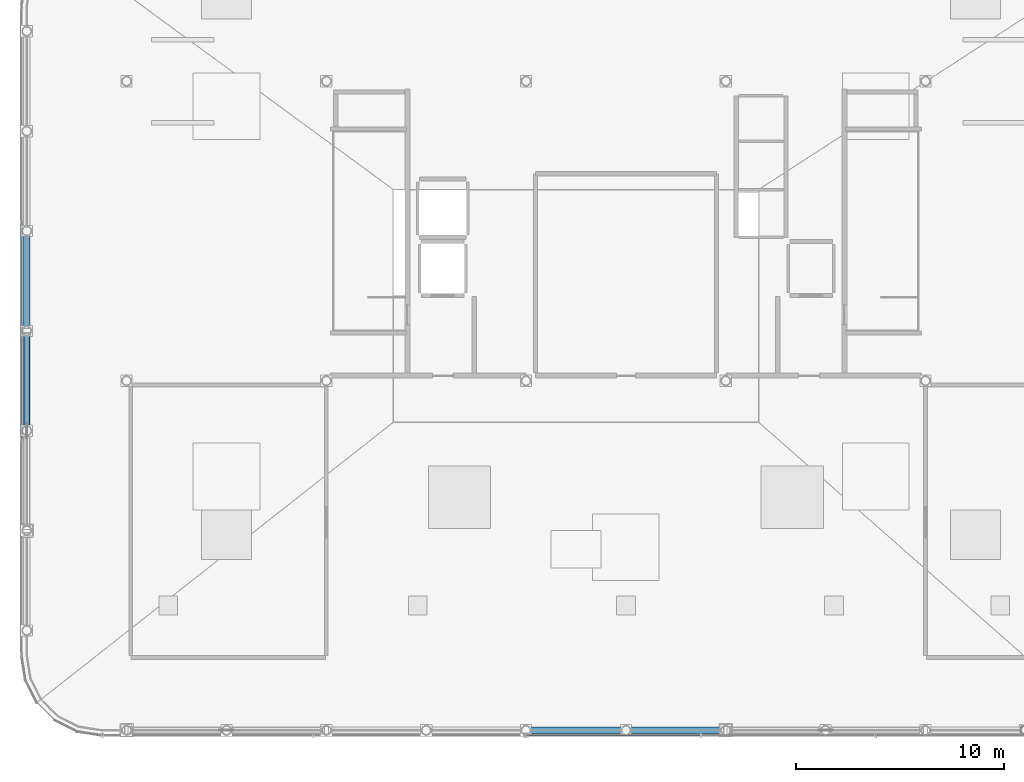
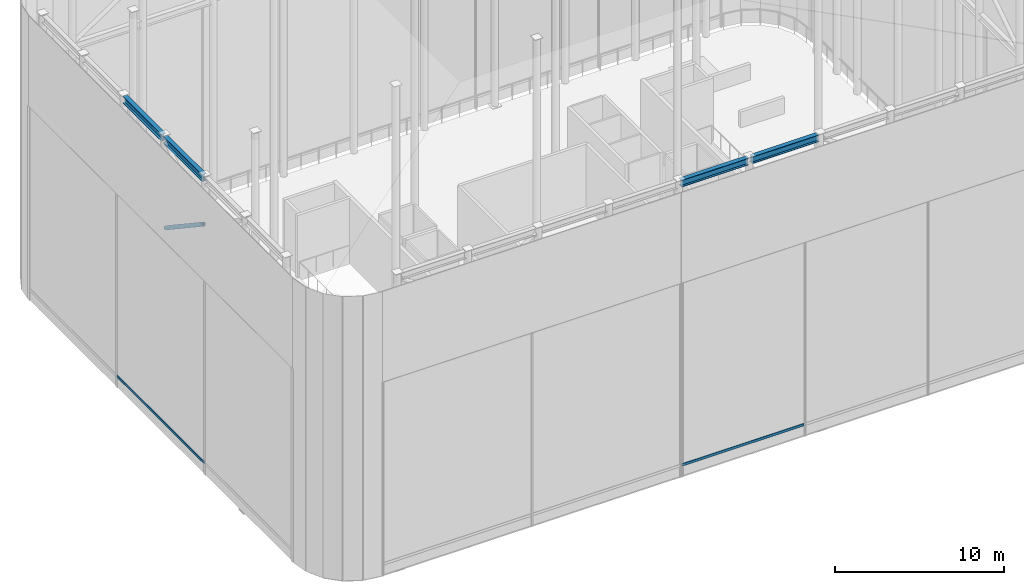
# One storey, part 11 of 42: 4 beams, 3 members, 2 elements without a shape of their own.
"""IFC4 building model written with IfcOpenShell, lengths in metres."""

from ifc_helpers import new_model, si_unit, direction, frame, origin, origin_2d, place, context, subcontext, project, spatial, hollow_rectangle, hollow_circle, i_section, extrude, material, layer, layer_set, material_profile, profile_set, type_object, element, aggregate, save


model = new_model("IFC4")

# Units and contexts
model_context = context("Model", 3, precision=1e-05, world=origin(), true_north=direction((0.0, 1.0)))
body_context = subcontext(model_context, "Body", "Model", "MODEL_VIEW")
ifc_project = project(units=[si_unit("LENGTHUNIT", "METRE"), si_unit("AREAUNIT", "SQUARE_METRE"), si_unit("VOLUMEUNIT", "CUBIC_METRE"), si_unit("PLANEANGLEUNIT", "RADIAN"), si_unit("MASSUNIT", "GRAM", prefix="KILO")], contexts=[model_context])

# Site, building, storey
site_placement = place(None, origin())
site = spatial("IfcSite", under=ifc_project, at=site_placement, CompositionType="ELEMENT")
building_placement = place(site_placement, origin())
building = spatial("IfcBuilding", under=site, at=building_placement, Name="Kallvorn Hotel Tower", CompositionType="ELEMENT")
storey_placement = place(building_placement, frame((0.0, 0.0, 306.0)))
storey = spatial("IfcBuildingStorey", under=building, at=storey_placement, Name="ROOF", CompositionType="ELEMENT", Elevation=306.0)

# Beams
ifc_material_1 = material(Name="Structural steel S355JR", Category="steel")
ifc_material_profile_1 = material_profile(ifc_material_1, i_section(OverallWidth=0.300048828125, OverallDepth=0.5, WebThickness=0.014404296875, FlangeThickness=0.028076171875, at=origin_2d()), Name="HE 500 B")
ifc_profile_set_1 = profile_set([ifc_material_profile_1], Name="Structural steel S355JR")
beam_type = type_object("IfcBeamType", Name="BM_HE500B", PredefinedType="SPANDREL", material=ifc_profile_set_1)
for number, where, z_axis, x_axis, name in (
    (1, (-4.699951171875, -24.0, 21.030029296875), (1.0, 0.0, 0.0), (0.0, 1.0, 0.0), "CROWN FRAME Top Ring Beam 05"),
    (2, (0.10009765625, -24.0, 21.030029296875), (1.0, 0.0, 0.0), (0.0, 1.0, 0.0), "CROWN FRAME Top Ring Beam 06"),
):
    element("IfcBeam", number, at=place(storey_placement, frame(where, z_axis=z_axis, x_axis=x_axis)), inside=storey, type_object=beam_type, Name=name, PredefinedType="SPANDREL", context=body_context, shape_type="SweptSolid", body=[
        extrude(i_section(OverallWidth=0.300048828125, OverallDepth=0.5, WebThickness=0.014404296875, FlangeThickness=0.028076171875, at=origin_2d()), origin(), (0.0, 0.0, 1.0), 4.599853515625),
    ])
beam_1_placement = place(storey_placement, frame((-28.800048828125, -9.5, 21.030029296875), z_axis=(0.0, 1.0, 0.0), x_axis=(-1.0, 0.0, 0.0)))
element("IfcBeam", 3, at=beam_1_placement, inside=storey, type_object=beam_type, Name="CROWN FRAME Top Ring Beam 21", PredefinedType="SPANDREL", context=body_context, shape_type="SweptSolid", body=[
    extrude(i_section(OverallWidth=0.300048828125, OverallDepth=0.5, WebThickness=0.014404296875, FlangeThickness=0.028076171875, at=origin_2d()), origin(), (0.0, 0.0, 1.0), 4.60009765625),
])
beam_2_placement = place(storey_placement, frame((-28.800048828125, -4.699951171875, 21.030029296875), z_axis=(0.0, 1.0, 0.0), x_axis=(-1.0, 0.0, 0.0)))
element("IfcBeam", 4, at=beam_2_placement, inside=storey, type_object=beam_type, Name="CROWN FRAME Top Ring Beam 22", PredefinedType="SPANDREL", context=body_context, shape_type="SweptSolid", body=[
    extrude(i_section(OverallWidth=0.300048828125, OverallDepth=0.5, WebThickness=0.014404296875, FlangeThickness=0.028076171875, at=origin_2d()), origin(), (0.0, 0.0, 1.0), 4.599853515625),
])

# Curtain wall, member
ifc_material_2 = material(Name="Thermally broken black-anodised aluminium AA 6063-T6", Category="aluminium")
ifc_layer = layer(ifc_material_2, 0.18994140625)
ifc_layer_set = layer_set([ifc_layer], Name="CW_SYS_7_CROWN_DRUM")
curtain_wall_type = type_object("IfcCurtainWallType", Name="CW_SYS_7_CROWN_DRUM", PredefinedType="USERDEFINED", material=ifc_layer_set)
curtain_wall_1_placement = place(storey_placement, origin())
curtain_wall_1 = element("IfcCurtainWall", 5, at=curtain_wall_1_placement, inside=storey, type_object=curtain_wall_type, Name="ROOF Dark-Glass Curtain Wall CW-ROOF-S2", ObjectType="UNITISED CURTAIN WALL", PredefinedType="USERDEFINED")
ifc_material_3 = material(Name="Thermally broken black-anodised aluminium AA 6063-T6", Category="aluminium")
ifc_material_profile_2 = material_profile(ifc_material_3, hollow_rectangle(XDim=0.070068359375, YDim=0.179931640625, WallThickness=0.00390625, at=origin_2d()), Name="TRN 180x70")
ifc_profile_set_2 = profile_set([ifc_material_profile_2], Name="Thermally broken black-anodised aluminium AA 6063-T6")
member_type_1 = type_object("IfcMemberType", Name="CW_TRANSOM_180x70", PredefinedType="USERDEFINED", material=ifc_profile_set_2)
member_1_placement = place(storey_placement, frame((-4.739990234375, -24.25, 0.85009765625), z_axis=(1.0, 0.0, 0.0), x_axis=(0.0, 1.0, 0.0)))
member_1 = element("IfcMember", 6, at=member_1_placement, type_object=member_type_1, Name="CW-ROOF-S2 Transom 00M", ObjectType="TRANSOM", PredefinedType="USERDEFINED", context=body_context, shape_type="SweptSolid", body=[
    extrude(hollow_rectangle(XDim=0.070068359375, YDim=0.179931640625, WallThickness=0.00390625, at=origin_2d()), origin(), (0.0, 0.0, 1.0), 8.313232421875),
])
aggregate(curtain_wall_1, [member_1])

curtain_wall_2_placement = place(storey_placement, origin())
curtain_wall_2 = element("IfcCurtainWall", 7, at=curtain_wall_2_placement, inside=storey, type_object=curtain_wall_type, Name="ROOF Dark-Glass Curtain Wall CW-ROOF-W1", ObjectType="UNITISED CURTAIN WALL", PredefinedType="USERDEFINED")
member_2_placement = place(storey_placement, frame((-29.050048828125, -9.9599609375, 0.85009765625), z_axis=(0.0, 1.0, 0.0), x_axis=(-1.0, 0.0, 0.0)))
member_2 = element("IfcMember", 8, at=member_2_placement, type_object=member_type_1, Name="CW-ROOF-W1 Transom 01M", ObjectType="TRANSOM", PredefinedType="USERDEFINED", context=body_context, shape_type="SweptSolid", body=[
    extrude(hollow_rectangle(XDim=0.070068359375, YDim=0.179931640625, WallThickness=0.00390625, at=origin_2d()), origin(), (0.0, 0.0, 1.0), 10.320068359375),
])
aggregate(curtain_wall_2, [member_2])

# Member
ifc_material_4 = material(Name="Structural steel S355J2H", Category="steel")
ifc_material_profile_3 = material_profile(ifc_material_4, hollow_circle(Radius=0.136474609375, WallThickness=0.010009765625, at=origin_2d()), Name="CHS 273x10")
ifc_profile_set_3 = profile_set([ifc_material_profile_3], Name="Structural steel S355J2H")
member_type_2 = type_object("IfcMemberType", Name="MBR_CROWN_CHS273", PredefinedType="BRACE", material=ifc_profile_set_3)
member_3_placement = place(storey_placement, frame((-28.800048828125, -9.4169921875, 17.6279296875), z_axis=(0.0, 0.832057342826, -0.554689623347), x_axis=(-1.0, 0.0, 0.0)))
element("IfcMember", 9, at=member_3_placement, inside=storey, type_object=member_type_2, Name="CROWN FRAME Ring X-Brace Split Half-Diagonal CW1-2", PredefinedType="BRACE", context=body_context, shape_type="SweptSolid", body=[
    extrude(hollow_circle(Radius=0.136474609375, WallThickness=0.010009765625, at=origin_2d()), origin(), (0.0, 0.0, 1.0), 5.328857421875),
])

save(model, "model.ifc")
